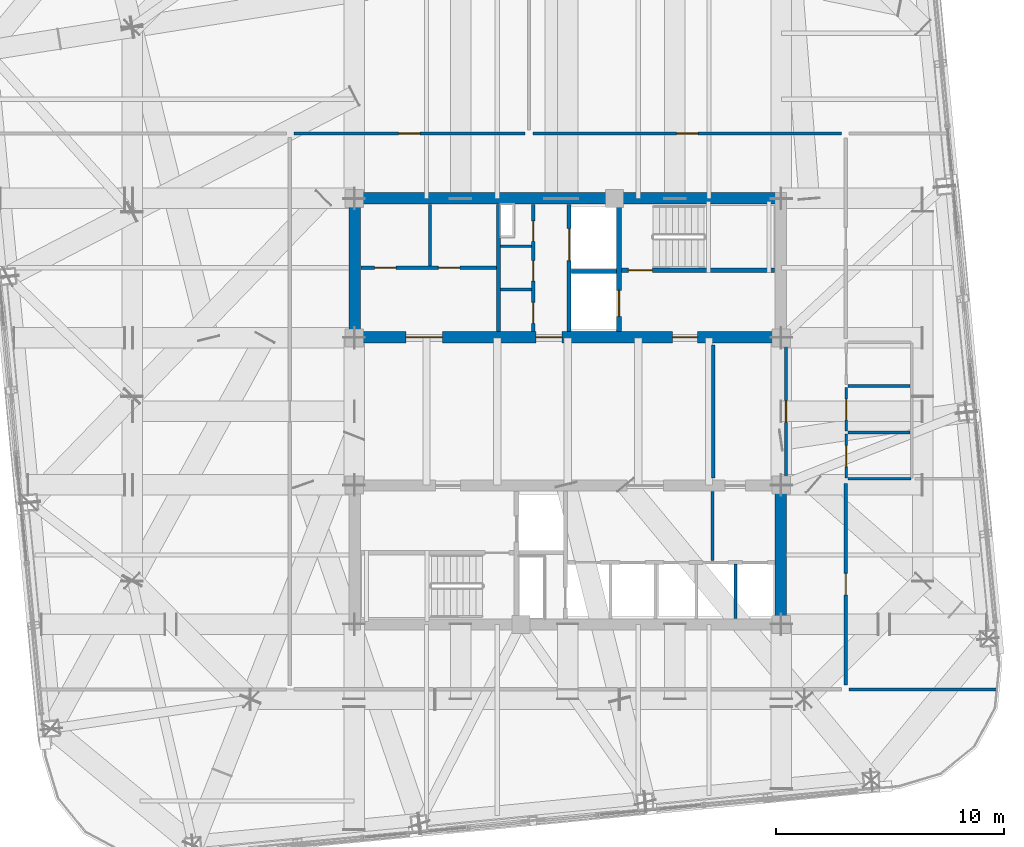
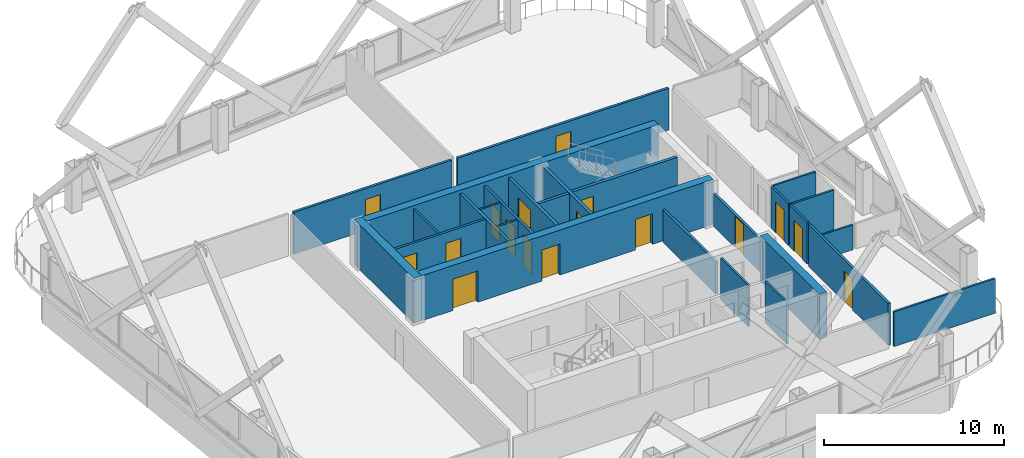
# One storey, part 33 of 37: 27 walls, 17 doors, 17 openings.
"""IFC4 building model written with IfcOpenShell, lengths in metres."""

from ifc_helpers import new_model, si_unit, direction, frame, frame_2d, origin, place, context, subcontext, project, spatial, rectangle, extrude, material, layer, layer_set, type_object, element, fill, save


model = new_model("IFC4")

# Units and contexts
model_context = context("Model", 3, precision=1e-05, world=origin(), true_north=direction((0.0, 1.0)))
body_context = subcontext(model_context, "Body", "Model", "MODEL_VIEW")
ifc_project = project(units=[si_unit("LENGTHUNIT", "METRE"), si_unit("AREAUNIT", "SQUARE_METRE"), si_unit("VOLUMEUNIT", "CUBIC_METRE"), si_unit("PLANEANGLEUNIT", "RADIAN"), si_unit("MASSUNIT", "GRAM", prefix="KILO")], contexts=[model_context])

# Site, building, storey
site_placement = place(None, origin())
site = spatial("IfcSite", under=ifc_project, at=site_placement, CompositionType="ELEMENT")
building_placement = place(site_placement, origin())
building = spatial("IfcBuilding", under=site, at=building_placement, Name="Qhalaya Broadcast Tower", CompositionType="ELEMENT")
storey_placement = place(building_placement, frame((0.0, 0.0, 156.14990234375)))
storey = spatial("IfcBuildingStorey", under=building, at=storey_placement, Name="L45", CompositionType="ELEMENT", Elevation=156.14990234375)

# Wall, openings, doors
ifc_material_1 = material(Name="Gypsum Acoustic Partition")
ifc_layer_1 = layer(ifc_material_1, 0.14990234375, Name="Gypsum Acoustic Partition")
ifc_layer_set_1 = layer_set([ifc_layer_1], Name="Gypsum Acoustic Partition")
wall_type_1 = type_object("IfcWallType", Name="Corridor & Tenancy Acoustic Partition 150", PredefinedType="PARTITIONING", material=ifc_layer_set_1)
wall_1_placement = place(storey_placement, frame((-1.52001953125, 4.1201171875, 0.0), z_axis=(0.0, 0.0, 1.0), x_axis=(0.0, 1.0, 0.0)))
wall_1 = element("IfcWall", 1, at=wall_1_placement, inside=storey, type_object=wall_type_1, Name="L45 Partition Wall NCW-SVL", PredefinedType="PARTITIONING", context=body_context, shape_type="SweptSolid", body=[
    extrude(rectangle(XDim=5.559814453125, YDim=0.14990234375, at=frame_2d((2.77978515625, 0.0))), origin(), (0.0, 0.0, 1.0), 2.830078125),
])
opening_1_placement = place(wall_1_placement, frame((3.949951171875, 0.0, 0.0)))
opening_1 = element("IfcOpeningElement", 2, at=opening_1_placement, cuts=wall_1, Name="Opening D06", PredefinedType="OPENING", context=body_context, shape_type="SweptSolid", body=[
    extrude(rectangle(XDim=0.89990234375, YDim=2.050048828125, at=frame_2d((0.449951171875, 1.02490234375))), frame((0.0, 0.0869140625, 0.0), z_axis=(0.0, -1.0, 0.0), x_axis=(1.0, 0.0, 0.0)), (0.0, 0.0, 1.0), 0.173828125),
])
opening_2_placement = place(wall_1_placement, frame((2.199951171875, 0.0, 0.0)))
opening_2 = element("IfcOpeningElement", 3, at=opening_2_placement, cuts=wall_1, Name="Opening D06", PredefinedType="OPENING", context=body_context, shape_type="SweptSolid", body=[
    extrude(rectangle(XDim=0.89990234375, YDim=2.050048828125, at=frame_2d((0.449951171875, 1.02490234375))), frame((0.0, 0.0869140625, 0.0), z_axis=(0.0, -1.0, 0.0), x_axis=(1.0, 0.0, 0.0)), (0.0, 0.0, 1.0), 0.173828125),
])
opening_3_placement = place(wall_1_placement, frame((0.35009765625, 0.0, 0.0)))
opening_3 = element("IfcOpeningElement", 4, at=opening_3_placement, cuts=wall_1, Name="Opening D12", PredefinedType="OPENING", context=body_context, shape_type="SweptSolid", body=[
    extrude(rectangle(XDim=0.919921875, YDim=2.10009765625, at=frame_2d((0.4599609375, 1.050048828125))), frame((0.0, 0.0869140625, 0.0), z_axis=(0.0, -1.0, 0.0), x_axis=(1.0, 0.0, 0.0)), (0.0, 0.0, 1.0), 0.173828125),
])
ifc_material_2 = material(Name="Timber Veneer Acoustic Door", Category="wood")
door_type_1 = type_object("IfcDoorType", Name="Accessible WC & Restroom Door D12", OperationType="NOTDEFINED", PredefinedType="DOOR", material=ifc_material_2)
door_1_placement = place(opening_3_placement, origin())
door_1 = element("IfcDoor", 5, at=door_1_placement, inside=storey, type_object=door_type_1, Name="L45 Door D-NCWC", OperationType="SINGLE_SWING_RIGHT", OverallHeight=2.10009765625, OverallWidth=0.919921875, PredefinedType="DOOR", context=body_context, shape_type="SweptSolid", body=[
    extrude(rectangle(XDim=0.919921875, YDim=2.10009765625, at=frame_2d((0.4599609375, 1.050048828125))), frame((0.0, 0.02490234375, 0.0), z_axis=(0.0, -1.0, 0.0), x_axis=(1.0, 0.0, 0.0)), (0.0, 0.0, 1.0), 0.050048828125),
])
fill(opening_3, door_1)
ifc_material_3 = material(Name="Fire-Rated Steel Door", Category="steel")
door_type_2 = type_object("IfcDoorType", Name="Riser & Electrical Shaft Access Door D06", OperationType="NOTDEFINED", PredefinedType="DOOR", material=ifc_material_3)
door_2_placement = place(opening_1_placement, origin())
door_2 = element("IfcDoor", 6, at=door_2_placement, inside=storey, type_object=door_type_2, Name="L45 Riser Shaft Access Door D-NRSR", OperationType="SINGLE_SWING_RIGHT", OverallHeight=2.050048828125, OverallWidth=0.89990234375, PredefinedType="DOOR", context=body_context, shape_type="SweptSolid", body=[
    extrude(rectangle(XDim=0.89990234375, YDim=2.050048828125, at=frame_2d((0.449951171875, 1.02490234375))), frame((0.0, 0.02490234375, 0.0), z_axis=(0.0, -1.0, 0.0), x_axis=(1.0, 0.0, 0.0)), (0.0, 0.0, 1.0), 0.050048828125),
])
fill(opening_1, door_2)
door_3_placement = place(opening_2_placement, origin())
door_3 = element("IfcDoor", 7, at=door_3_placement, inside=storey, type_object=door_type_2, Name="L45 Door D-NITR", OperationType="SINGLE_SWING_LEFT", OverallHeight=2.050048828125, OverallWidth=0.89990234375, PredefinedType="DOOR", context=body_context, shape_type="SweptSolid", body=[
    extrude(rectangle(XDim=0.89990234375, YDim=2.050048828125, at=frame_2d((0.449951171875, 1.02490234375))), frame((0.0, 0.02490234375, 0.0), z_axis=(0.0, -1.0, 0.0), x_axis=(1.0, 0.0, 0.0)), (0.0, 0.0, 1.0), 0.050048828125),
])
fill(opening_2, door_3)

wall_2_placement = place(storey_placement, frame((-9.080078125, 6.89990234375, 0.0), z_axis=(0.0, 0.0, 1.0), x_axis=(1.0, 0.0, 0.0)))
wall_2 = element("IfcWall", 8, at=wall_2_placement, inside=storey, type_object=wall_type_1, Name="L45 Partition Wall NCW-REC1", PredefinedType="PARTITIONING", context=body_context, shape_type="SweptSolid", body=[
    extrude(rectangle(XDim=5.9599609375, YDim=0.14990234375, at=frame_2d((2.97998046875, 0.0))), origin(), (0.0, 0.0, 1.0), 2.830078125),
])
opening_4_placement = place(wall_2_placement, frame((0.60009765625, 0.0, 0.0)))
opening_4 = element("IfcOpeningElement", 9, at=opening_4_placement, cuts=wall_2, Name="Opening D10", PredefinedType="OPENING", context=body_context, shape_type="SweptSolid", body=[
    extrude(rectangle(XDim=0.949951171875, YDim=2.10009765625, at=frame_2d((0.47509765625, 1.050048828125))), frame((0.0, 0.0869140625, 0.0), z_axis=(0.0, -1.0, 0.0), x_axis=(1.0, 0.0, 0.0)), (0.0, 0.0, 1.0), 0.173828125),
])
opening_5_placement = place(wall_2_placement, frame((3.39990234375, 0.0, 0.0)))
opening_5 = element("IfcOpeningElement", 10, at=opening_5_placement, cuts=wall_2, Name="Opening D10", PredefinedType="OPENING", context=body_context, shape_type="SweptSolid", body=[
    extrude(rectangle(XDim=0.949951171875, YDim=2.10009765625, at=frame_2d((0.47509765625, 1.050048828125))), frame((0.0, 0.0869140625, 0.0), z_axis=(0.0, -1.0, 0.0), x_axis=(1.0, 0.0, 0.0)), (0.0, 0.0, 1.0), 0.173828125),
])
door_type_3 = type_object("IfcDoorType", Name="Cellular Office & Edit Booth Door D10", OperationType="NOTDEFINED", PredefinedType="DOOR", material=ifc_material_2)
door_4_placement = place(opening_4_placement, origin())
door_4 = element("IfcDoor", 11, at=door_4_placement, inside=storey, type_object=door_type_3, Name="L45 Door D-NREC1", OperationType="SINGLE_SWING_LEFT", OverallHeight=2.10009765625, OverallWidth=0.949951171875, PredefinedType="DOOR", context=body_context, shape_type="SweptSolid", body=[
    extrude(rectangle(XDim=0.949951171875, YDim=2.10009765625, at=frame_2d((0.47509765625, 1.050048828125))), frame((0.0, 0.02490234375, 0.0), z_axis=(0.0, -1.0, 0.0), x_axis=(1.0, 0.0, 0.0)), (0.0, 0.0, 1.0), 0.050048828125),
])
fill(opening_4, door_4)
door_5_placement = place(opening_5_placement, origin())
door_5 = element("IfcDoor", 12, at=door_5_placement, inside=storey, type_object=door_type_3, Name="L45 Door D-NREC2", OperationType="SINGLE_SWING_RIGHT", OverallHeight=2.10009765625, OverallWidth=0.949951171875, PredefinedType="DOOR", context=body_context, shape_type="SweptSolid", body=[
    extrude(rectangle(XDim=0.949951171875, YDim=2.10009765625, at=frame_2d((0.47509765625, 1.050048828125))), frame((0.0, 0.02490234375, 0.0), z_axis=(0.0, -1.0, 0.0), x_axis=(1.0, 0.0, 0.0)), (0.0, 0.0, 1.0), 0.050048828125),
])
fill(opening_5, door_5)

# Wall
wall_3_placement = place(storey_placement, frame((6.3798828125, -2.320068359375, 0.0), z_axis=(0.0, 0.0, 1.0), x_axis=(0.0, 1.0, 0.0)))
element("IfcWall", 13, at=wall_3_placement, inside=storey, type_object=wall_type_1, Name="L45 Partition Wall W-ICHW", PredefinedType="PARTITIONING", context=body_context, shape_type="SweptSolid", body=[
    extrude(rectangle(XDim=5.840087890625, YDim=0.14990234375, at=frame_2d((2.919921875, 0.0))), origin(), (0.0, 0.0, 1.0), 2.197998046875),
])

# Wall, opening, door
wall_4_placement = place(storey_placement, frame((9.580078125, -2.320068359375, 0.0), z_axis=(0.0, 0.0, 1.0), x_axis=(0.0, 1.0, 0.0)))
wall_4 = element("IfcWall", 14, at=wall_4_placement, inside=storey, type_object=wall_type_1, Name="L45 Partition Wall W-ICHE", PredefinedType="PARTITIONING", context=body_context, shape_type="SweptSolid", body=[
    extrude(rectangle(XDim=5.840087890625, YDim=0.14990234375, at=frame_2d((2.919921875, 0.0))), origin(), (0.0, 0.0, 1.0), 2.197998046875),
])
opening_6_placement = place(wall_4_placement, frame((2.445068359375, 0.0, 0.0)))
opening_6 = element("IfcOpeningElement", 15, at=opening_6_placement, cuts=wall_4, Name="Opening D10", PredefinedType="OPENING", context=body_context, shape_type="SweptSolid", body=[
    extrude(rectangle(XDim=0.949951171875, YDim=2.10009765625, at=frame_2d((0.47509765625, 1.050048828125))), frame((0.0, 0.0869140625, 0.0), z_axis=(0.0, -1.0, 0.0), x_axis=(1.0, 0.0, 0.0)), (0.0, 0.0, 1.0), 0.173828125),
])
door_6_placement = place(opening_6_placement, origin())
door_6 = element("IfcDoor", 16, at=door_6_placement, inside=storey, type_object=door_type_3, Name="L45 Door D-ICHE", OperationType="SINGLE_SWING_RIGHT", OverallHeight=2.10009765625, OverallWidth=0.949951171875, PredefinedType="DOOR", context=body_context, shape_type="SweptSolid", body=[
    extrude(rectangle(XDim=0.949951171875, YDim=2.10009765625, at=frame_2d((0.47509765625, 1.050048828125))), frame((0.0, 0.02490234375, 0.0), z_axis=(0.0, -1.0, 0.0), x_axis=(1.0, 0.0, 0.0)), (0.0, 0.0, 1.0), 0.050048828125),
])
fill(opening_6, door_6)

wall_5_placement = place(storey_placement, frame((-12.02001953125, 12.800048828125, 0.0), z_axis=(0.0, 0.0, 1.0), x_axis=(1.0, 0.0, 0.0)))
wall_5 = element("IfcWall", 17, at=wall_5_placement, inside=storey, type_object=wall_type_1, Name="L45 Partition Wall W-COR-01", PredefinedType="PARTITIONING", context=body_context, shape_type="SweptSolid", body=[
    extrude(rectangle(XDim=10.14013671875, YDim=0.14990234375, at=frame_2d((5.070068359375, 0.0))), origin(), (0.0, 0.0, 1.0), 2.830078125),
])
opening_7_placement = place(wall_5_placement, frame((4.594970703125, 0.0, 0.0)))
opening_7 = element("IfcOpeningElement", 18, at=opening_7_placement, cuts=wall_5, Name="Opening D10", PredefinedType="OPENING", context=body_context, shape_type="SweptSolid", body=[
    extrude(rectangle(XDim=0.949951171875, YDim=2.10009765625, at=frame_2d((0.47509765625, 1.050048828125))), frame((0.0, 0.0869140625, 0.0), z_axis=(0.0, -1.0, 0.0), x_axis=(1.0, 0.0, 0.0)), (0.0, 0.0, 1.0), 0.173828125),
])
door_7_placement = place(opening_7_placement, origin())
door_7 = element("IfcDoor", 19, at=door_7_placement, inside=storey, type_object=door_type_3, Name="L45 Door D-RM01", OperationType="SINGLE_SWING_LEFT", OverallHeight=2.10009765625, OverallWidth=0.949951171875, PredefinedType="DOOR", context=body_context, shape_type="SweptSolid", body=[
    extrude(rectangle(XDim=0.949951171875, YDim=2.10009765625, at=frame_2d((0.47509765625, 1.050048828125))), frame((0.0, 0.02490234375, 0.0), z_axis=(0.0, -1.0, 0.0), x_axis=(1.0, 0.0, 0.0)), (0.0, 0.0, 1.0), 0.050048828125),
])
fill(opening_7, door_7)

wall_6_placement = place(storey_placement, frame((-1.52001953125, 12.800048828125, 0.0), z_axis=(0.0, 0.0, 1.0), x_axis=(1.0, 0.0, 0.0)))
wall_6 = element("IfcWall", 20, at=wall_6_placement, inside=storey, type_object=wall_type_1, Name="L45 Partition Wall W-COR-02", PredefinedType="PARTITIONING", context=body_context, shape_type="SweptSolid", body=[
    extrude(rectangle(XDim=13.5400390625, YDim=0.14990234375, at=frame_2d((6.77001953125, 0.0))), origin(), (0.0, 0.0, 1.0), 2.830078125),
])
opening_8_placement = place(wall_6_placement, frame((6.294921875, 0.0, 0.0)))
opening_8 = element("IfcOpeningElement", 21, at=opening_8_placement, cuts=wall_6, Name="Opening D10", PredefinedType="OPENING", context=body_context, shape_type="SweptSolid", body=[
    extrude(rectangle(XDim=0.949951171875, YDim=2.10009765625, at=frame_2d((0.47509765625, 1.050048828125))), frame((0.0, 0.0869140625, 0.0), z_axis=(0.0, -1.0, 0.0), x_axis=(1.0, 0.0, 0.0)), (0.0, 0.0, 1.0), 0.173828125),
])
door_8_placement = place(opening_8_placement, origin())
door_8 = element("IfcDoor", 22, at=door_8_placement, inside=storey, type_object=door_type_3, Name="L45 Door D-RM02", OperationType="SINGLE_SWING_RIGHT", OverallHeight=2.10009765625, OverallWidth=0.949951171875, PredefinedType="DOOR", context=body_context, shape_type="SweptSolid", body=[
    extrude(rectangle(XDim=0.949951171875, YDim=2.10009765625, at=frame_2d((0.47509765625, 1.050048828125))), frame((0.0, 0.02490234375, 0.0), z_axis=(0.0, -1.0, 0.0), x_axis=(1.0, 0.0, 0.0)), (0.0, 0.0, 1.0), 0.050048828125),
])
fill(opening_8, door_8)

wall_7_placement = place(storey_placement, frame((12.199951171875, -11.39990234375, 0.0), z_axis=(0.0, 0.0, 1.0), x_axis=(0.0, 1.0, 0.0)))
wall_7 = element("IfcWall", 23, at=wall_7_placement, inside=storey, type_object=wall_type_1, Name="L45 Partition Wall W-COR-05", PredefinedType="PARTITIONING", context=body_context, shape_type="SweptSolid", body=[
    extrude(rectangle(XDim=8.83984375, YDim=0.14990234375, at=frame_2d((4.419921875, 0.0))), origin(), (0.0, 0.0, 1.0), 2.830078125),
])
opening_9_placement = place(wall_7_placement, frame((3.945068359375, 0.0, 0.0)))
opening_9 = element("IfcOpeningElement", 24, at=opening_9_placement, cuts=wall_7, Name="Opening D10", PredefinedType="OPENING", context=body_context, shape_type="SweptSolid", body=[
    extrude(rectangle(XDim=0.949951171875, YDim=2.10009765625, at=frame_2d((0.47509765625, 1.050048828125))), frame((0.0, 0.0869140625, 0.0), z_axis=(0.0, -1.0, 0.0), x_axis=(1.0, 0.0, 0.0)), (0.0, 0.0, 1.0), 0.173828125),
])
door_9_placement = place(opening_9_placement, origin())
door_9 = element("IfcDoor", 25, at=door_9_placement, inside=storey, type_object=door_type_3, Name="L45 Door D-RM05", OperationType="SINGLE_SWING_LEFT", OverallHeight=2.10009765625, OverallWidth=0.949951171875, PredefinedType="DOOR", context=body_context, shape_type="SweptSolid", body=[
    extrude(rectangle(XDim=0.949951171875, YDim=2.10009765625, at=frame_2d((0.47509765625, 1.050048828125))), frame((0.0, 0.02490234375, 0.0), z_axis=(0.0, -1.0, 0.0), x_axis=(1.0, 0.0, 0.0)), (0.0, 0.0, 1.0), 0.050048828125),
])
fill(opening_9, door_9)

ifc_material_4 = material(Name="Concrete C50/60", Category="concrete")
ifc_layer_2 = layer(ifc_material_4, 0.199951171875, Name="Concrete C50/60")
ifc_layer_set_2 = layer_set([ifc_layer_2], Name="Concrete C50/60")
wall_type_2 = type_object("IfcWallType", Name="Load-Bearing Stair Shaft Wall 200", PredefinedType="SHEAR", material=ifc_layer_set_2)
wall_8_placement = place(storey_placement, frame((2.360107421875, 6.804931640625, 0.0), z_axis=(0.0, 0.0, 1.0), x_axis=(1.0, 0.0, 0.0)))
wall_8 = element("IfcWall", 26, at=wall_8_placement, inside=storey, type_object=wall_type_2, Name="L45 Stair Core Shear Wall NCW-ST1", PredefinedType="SHEAR", context=body_context, shape_type="SweptSolid", body=[
    extrude(rectangle(XDim=6.719970703125, YDim=0.199951171875, at=frame_2d((3.35986328125, 0.0))), origin(), (0.0, 0.0, 1.0), 2.830078125),
])
opening_10_placement = place(wall_8_placement, frame((0.300048828125, 0.0, 0.0)))
opening_10 = element("IfcOpeningElement", 27, at=opening_10_placement, cuts=wall_8, Name="Opening D03", PredefinedType="OPENING", context=body_context, shape_type="SweptSolid", body=[
    extrude(rectangle(XDim=1.050048828125, YDim=2.080078125, at=frame_2d((0.52490234375, 1.0400390625))), frame((0.0, 0.112060546875, 0.0), z_axis=(0.0, -1.0, 0.0), x_axis=(1.0, 0.0, 0.0)), (0.0, 0.0, 1.0), 0.223876953125),
])
door_type_4 = type_object("IfcDoorType", Name="Core Stair Protected Fire Door D03", OperationType="NOTDEFINED", PredefinedType="DOOR", material=ifc_material_3)
door_10_placement = place(opening_10_placement, origin())
door_10 = element("IfcDoor", 28, at=door_10_placement, inside=storey, type_object=door_type_4, Name="L45 Door D-NST1", OperationType="SINGLE_SWING_LEFT", OverallHeight=2.080078125, OverallWidth=1.050048828125, PredefinedType="DOOR", context=body_context, shape_type="SweptSolid", body=[
    extrude(rectangle(XDim=1.050048828125, YDim=2.080078125, at=frame_2d((0.52490234375, 1.0400390625))), frame((0.0, 0.02490234375, 0.0), z_axis=(0.0, -1.0, 0.0), x_axis=(1.0, 0.0, 0.0)), (0.0, 0.0, 1.0), 0.050048828125),
])
fill(opening_10, door_10)

wall_9_placement = place(storey_placement, frame((2.25, 4.1201171875, 0.0), z_axis=(0.0, 0.0, 1.0), x_axis=(0.0, 1.0, 0.0)))
wall_9 = element("IfcWall", 29, at=wall_9_placement, inside=storey, type_object=wall_type_2, Name="L45 Stair Core Shear Wall NCW-FF", PredefinedType="SHEAR", context=body_context, shape_type="SweptSolid", body=[
    extrude(rectangle(XDim=5.559814453125, YDim=0.199951171875, at=frame_2d((2.77978515625, 0.0))), origin(), (0.0, 0.0, 1.0), 2.830078125),
])
opening_11_placement = place(wall_9_placement, frame((0.64990234375, 0.0, 0.0)))
opening_11 = element("IfcOpeningElement", 30, at=opening_11_placement, cuts=wall_9, Name="Opening LD2", PredefinedType="OPENING", context=body_context, shape_type="SweptSolid", body=[
    extrude(rectangle(XDim=1.14990234375, YDim=2.080078125, at=frame_2d((0.574951171875, 1.0400390625))), frame((0.0, 0.112060546875, 0.0), z_axis=(0.0, -1.0, 0.0), x_axis=(1.0, 0.0, 0.0)), (0.0, 0.0, 1.0), 0.223876953125),
])
ifc_material_5 = material(Name="Brushed Stainless Steel Lift Door", Category="steel")
door_type_5 = type_object("IfcDoorType", Name="Firefighting Lift Sliding Landing Door LD2", OperationType="DOUBLE_DOOR_SLIDING", PredefinedType="DOOR", material=ifc_material_5)
door_11_placement = place(opening_11_placement, origin())
door_11 = element("IfcDoor", 31, at=door_11_placement, inside=storey, type_object=door_type_5, Name="L45 Door LD-FF1", OperationType="DOUBLE_DOOR_SLIDING", OverallHeight=2.080078125, OverallWidth=1.14990234375, PredefinedType="DOOR", context=body_context, shape_type="SweptSolid", body=[
    extrude(rectangle(XDim=1.14990234375, YDim=2.080078125, at=frame_2d((0.574951171875, 1.0400390625))), frame((0.0, 0.02490234375, 0.0), z_axis=(0.0, -1.0, 0.0), x_axis=(1.0, 0.0, 0.0)), (0.0, 0.0, 1.0), 0.050048828125),
])
fill(opening_11, door_11)

# Wall
ifc_layer_3 = layer(ifc_material_4, 0.5, Name="Concrete C50/60")
ifc_layer_set_3 = layer_set([ifc_layer_3], Name="Concrete C50/60")
wall_type_3 = type_object("IfcWallType", Name="Mid Split-Core Shear Wall 500", PredefinedType="SHEAR", material=ifc_layer_set_3)
wall_10_placement = place(storey_placement, frame((-9.60009765625, 9.949951171875, 0.0), z_axis=(0.0, 0.0, 1.0), x_axis=(1.0, 0.0, 0.0)))
element("IfcWall", 32, at=wall_10_placement, inside=storey, type_object=wall_type_3, Name="L45 Split-Core Shear Wall CW-NN", PredefinedType="SHEAR", context=body_context, shape_type="SweptSolid", body=[
    extrude(rectangle(XDim=19.2001953125, YDim=0.5, at=frame_2d((9.60009765625, 0.0))), origin(), (0.0, 0.0, 1.0), 3.050048828125),
])

# Wall, openings, doors
wall_11_placement = place(storey_placement, frame((-9.60009765625, 3.85009765625, 0.0), z_axis=(0.0, 0.0, 1.0), x_axis=(1.0, 0.0, 0.0)))
wall_11 = element("IfcWall", 33, at=wall_11_placement, inside=storey, type_object=wall_type_3, Name="L45 Split-Core Shear Wall CW-NS", PredefinedType="SHEAR", context=body_context, shape_type="SweptSolid", body=[
    extrude(rectangle(XDim=19.2001953125, YDim=0.5, at=frame_2d((9.60009765625, 0.0))), origin(), (0.0, 0.0, 1.0), 3.050048828125),
])
opening_12_placement = place(wall_11_placement, frame((14.199951171875, 0.0, 0.0)))
opening_12 = element("IfcOpeningElement", 34, at=opening_12_placement, cuts=wall_11, Name="Opening D04", PredefinedType="OPENING", context=body_context, shape_type="SweptSolid", body=[
    extrude(rectangle(XDim=1.10009765625, YDim=2.080078125, at=frame_2d((0.550048828125, 1.0400390625))), frame((0.0, 0.261962890625, 0.0), z_axis=(0.0, -1.0, 0.0), x_axis=(1.0, 0.0, 0.0)), (0.0, 0.0, 1.0), 0.52392578125),
])
opening_13_placement = place(wall_11_placement, frame((8.199951171875, 0.0, 0.0)))
opening_13 = element("IfcOpeningElement", 35, at=opening_13_placement, cuts=wall_11, Name="Opening D05", PredefinedType="OPENING", context=body_context, shape_type="SweptSolid", body=[
    extrude(rectangle(XDim=1.14990234375, YDim=2.10009765625, at=frame_2d((0.574951171875, 1.050048828125))), frame((0.0, 0.261962890625, 0.0), z_axis=(0.0, -1.0, 0.0), x_axis=(1.0, 0.0, 0.0)), (0.0, 0.0, 1.0), 0.52392578125),
])
opening_14_placement = place(wall_11_placement, frame((2.5, 0.0, 0.0)))
opening_14 = element("IfcOpeningElement", 36, at=opening_14_placement, cuts=wall_11, Name="Opening D07", PredefinedType="OPENING", context=body_context, shape_type="SweptSolid", body=[
    extrude(rectangle(XDim=1.60009765625, YDim=2.1201171875, at=frame_2d((0.800048828125, 1.06005859375))), frame((0.0, 0.261962890625, 0.0), z_axis=(0.0, -1.0, 0.0), x_axis=(1.0, 0.0, 0.0)), (0.0, 0.0, 1.0), 0.52392578125),
])
door_type_6 = type_object("IfcDoorType", Name="Firefighting Lobby Rated Door D04", OperationType="NOTDEFINED", PredefinedType="DOOR", material=ifc_material_3)
door_12_placement = place(opening_12_placement, origin())
door_12 = element("IfcDoor", 37, at=door_12_placement, inside=storey, type_object=door_type_6, Name="L45 Door D-NFF", OperationType="SINGLE_SWING_RIGHT", OverallHeight=2.080078125, OverallWidth=1.10009765625, PredefinedType="DOOR", context=body_context, shape_type="SweptSolid", body=[
    extrude(rectangle(XDim=1.10009765625, YDim=2.080078125, at=frame_2d((0.550048828125, 1.0400390625))), frame((0.0, 0.02490234375, 0.0), z_axis=(0.0, -1.0, 0.0), x_axis=(1.0, 0.0, 0.0)), (0.0, 0.0, 1.0), 0.050048828125),
])
fill(opening_12, door_12)
ifc_material_6 = material(Name="Anodised Aluminium Glazed Door", Category="aluminium")
door_type_7 = type_object("IfcDoorType", Name="Passenger Lift Lobby Double Glazed Door D07", OperationType="DOUBLE_DOOR_SINGLE_SWING", PredefinedType="DOOR", material=ifc_material_6)
door_13_placement = place(opening_14_placement, origin())
door_13 = element("IfcDoor", 38, at=door_13_placement, inside=storey, type_object=door_type_7, Name="L45 Door D-NRECV", OperationType="DOUBLE_DOOR_SINGLE_SWING", OverallHeight=2.1201171875, OverallWidth=1.60009765625, PredefinedType="DOOR", context=body_context, shape_type="SweptSolid", body=[
    extrude(rectangle(XDim=1.60009765625, YDim=2.1201171875, at=frame_2d((0.800048828125, 1.06005859375))), frame((0.0, 0.02490234375, 0.0), z_axis=(0.0, -1.0, 0.0), x_axis=(1.0, 0.0, 0.0)), (0.0, 0.0, 1.0), 0.050048828125),
])
fill(opening_14, door_13)
door_type_8 = type_object("IfcDoorType", Name="Refuge & Plant Room Fire Door D05", OperationType="NOTDEFINED", PredefinedType="DOOR", material=ifc_material_3)
door_14_placement = place(opening_13_placement, origin())
door_14 = element("IfcDoor", 39, at=door_14_placement, inside=storey, type_object=door_type_8, Name="L45 Door D-NSVL", OperationType="SINGLE_SWING_LEFT", OverallHeight=2.10009765625, OverallWidth=1.14990234375, PredefinedType="DOOR", context=body_context, shape_type="SweptSolid", body=[
    extrude(rectangle(XDim=1.14990234375, YDim=2.10009765625, at=frame_2d((0.574951171875, 1.050048828125))), frame((0.0, 0.02490234375, 0.0), z_axis=(0.0, -1.0, 0.0), x_axis=(1.0, 0.0, 0.0)), (0.0, 0.0, 1.0), 0.050048828125),
])
fill(opening_13, door_14)

# Walls
wall_12_placement = place(storey_placement, frame((-9.35009765625, 3.60009765625, 0.0), z_axis=(0.0, 0.0, 1.0), x_axis=(0.0, 1.0, 0.0)))
element("IfcWall", 40, at=wall_12_placement, inside=storey, type_object=wall_type_3, Name="L45 Split-Core Shear Wall CW-NW", PredefinedType="SHEAR", context=body_context, shape_type="SweptSolid", body=[
    extrude(rectangle(XDim=6.599853515625, YDim=0.5, at=frame_2d((3.2998046875, 0.0))), origin(), (0.0, 0.0, 1.0), 3.050048828125),
])
wall_13_placement = place(storey_placement, frame((9.35009765625, -9.0, 0.0), z_axis=(0.0, 0.0, 1.0), x_axis=(0.0, 1.0, 0.0)))
element("IfcWall", 41, at=wall_13_placement, inside=storey, type_object=wall_type_3, Name="L45 Split-Core Shear Wall CW-SE", PredefinedType="SHEAR", context=body_context, shape_type="SweptSolid", body=[
    extrude(rectangle(XDim=6.60009765625, YDim=0.5, at=frame_2d((3.300048828125, 0.0))), origin(), (0.0, 0.0, 1.0), 3.050048828125),
])
ifc_layer_4 = layer(ifc_material_1, 0.1201171875, Name="Gypsum Acoustic Partition")
ifc_layer_set_4 = layer_set([ifc_layer_4], Name="Gypsum Acoustic Partition")
wall_type_4 = type_object("IfcWallType", Name="Office, Booth & Sanitary Partition 120", PredefinedType="PARTITIONING", material=ifc_layer_set_4)
for number, where, z_axis, x_axis, name in (
    (42, (-2.9599609375, 5.949951171875, 0.0), (0.0, 0.0, 1.0), (1.0, 0.0, 0.0), "L45 Partition Wall NCW-VB1"),
    (43, (-2.9599609375, 7.85009765625, 0.0), (0.0, 0.0, 1.0), (1.0, 0.0, 0.0), "L45 Partition Wall NCW-VB2"),
):
    element("IfcWall", number, at=place(storey_placement, frame(where, z_axis=z_axis, x_axis=x_axis)), inside=storey, type_object=wall_type_4, Name=name, PredefinedType="PARTITIONING", context=body_context, shape_type="SweptSolid", body=[
        extrude(rectangle(XDim=1.35986328125, YDim=0.1201171875, at=frame_2d((0.679931640625, 0.0))), origin(), (0.0, 0.0, 1.0), 2.830078125),
    ])
wall_14_placement = place(storey_placement, frame((-6.050048828125, 6.97998046875, 0.0), z_axis=(0.0, 0.0, 1.0), x_axis=(0.0, 1.0, 0.0)))
element("IfcWall", 44, at=wall_14_placement, inside=storey, type_object=wall_type_4, Name="L45 Partition Wall NCW-REC2", PredefinedType="PARTITIONING", context=body_context, shape_type="SweptSolid", body=[
    extrude(rectangle(XDim=2.699951171875, YDim=0.1201171875, at=frame_2d((1.35009765625, 0.0))), origin(), (0.0, 0.0, 1.0), 2.830078125),
])
wall_15_placement = place(storey_placement, frame((7.360107421875, -8.47998046875, 0.0), z_axis=(0.0, 0.0, 1.0), x_axis=(0.0, 1.0, 0.0)))
element("IfcWall", 45, at=wall_15_placement, inside=storey, type_object=wall_type_4, Name="L45 Partition Wall SCW-HD7", PredefinedType="PARTITIONING", context=body_context, shape_type="SweptSolid", body=[
    extrude(rectangle(XDim=2.3798828125, YDim=0.1201171875, at=frame_2d((1.18994140625, 0.0))), origin(), (0.0, 0.0, 1.0), 2.830078125),
])
wall_16_placement = place(storey_placement, frame((6.35009765625, -5.93994140625, 0.0), z_axis=(0.0, 0.0, 1.0), x_axis=(0.0, 1.0, 0.0)))
element("IfcWall", 46, at=wall_16_placement, inside=storey, type_object=wall_type_4, Name="L45 Partition Wall SCW-LKB", PredefinedType="PARTITIONING", context=body_context, shape_type="SweptSolid", body=[
    extrude(rectangle(XDim=3.02001953125, YDim=0.1201171875, at=frame_2d((1.510009765625, 0.0))), origin(), (0.0, 0.0, 1.0), 2.830078125),
])

# Wall, opening, door
wall_17_placement = place(storey_placement, frame((12.219970703125, -2.320068359375, 0.0), z_axis=(0.0, 0.0, 1.0), x_axis=(0.0, 1.0, 0.0)))
wall_17 = element("IfcWall", 47, at=wall_17_placement, inside=storey, type_object=wall_type_4, Name="L45 Partition Wall W-WCWA", PredefinedType="PARTITIONING", context=body_context, shape_type="SweptSolid", body=[
    extrude(rectangle(XDim=1.940185546875, YDim=0.1201171875, at=frame_2d((0.97021484375, 0.0))), origin(), (0.0, 0.0, 1.0), 2.830078125),
])
opening_15_placement = place(wall_17_placement, frame((0.4951171875, 0.0, 0.0)))
opening_15 = element("IfcOpeningElement", 48, at=opening_15_placement, cuts=wall_17, Name="Opening D12", PredefinedType="OPENING", context=body_context, shape_type="SweptSolid", body=[
    extrude(rectangle(XDim=0.919921875, YDim=2.10009765625, at=frame_2d((0.4599609375, 1.050048828125))), frame((0.0, 0.072021484375, 0.0), z_axis=(0.0, -1.0, 0.0), x_axis=(1.0, 0.0, 0.0)), (0.0, 0.0, 1.0), 0.14404296875),
])
door_15_placement = place(opening_15_placement, origin())
door_15 = element("IfcDoor", 49, at=door_15_placement, inside=storey, type_object=door_type_1, Name="L45 Door D-WCA", OperationType="SINGLE_SWING_LEFT", OverallHeight=2.10009765625, OverallWidth=0.919921875, PredefinedType="DOOR", context=body_context, shape_type="SweptSolid", body=[
    extrude(rectangle(XDim=0.919921875, YDim=2.10009765625, at=frame_2d((0.4599609375, 1.050048828125))), frame((0.0, 0.02490234375, 0.0), z_axis=(0.0, -1.0, 0.0), x_axis=(1.0, 0.0, 0.0)), (0.0, 0.0, 1.0), 0.050048828125),
])
fill(opening_15, door_15)

wall_18_placement = place(storey_placement, frame((12.219970703125, -0.25, 0.0), z_axis=(0.0, 0.0, 1.0), x_axis=(0.0, 1.0, 0.0)))
wall_18 = element("IfcWall", 50, at=wall_18_placement, inside=storey, type_object=wall_type_4, Name="L45 Partition Wall W-WCWM", PredefinedType="PARTITIONING", context=body_context, shape_type="SweptSolid", body=[
    extrude(rectangle(XDim=1.89990234375, YDim=0.1201171875, at=frame_2d((0.949951171875, 0.0))), origin(), (0.0, 0.0, 1.0), 2.830078125),
])
opening_16_placement = place(wall_18_placement, frame((0.47509765625, 0.0, 0.0)))
opening_16 = element("IfcOpeningElement", 51, at=opening_16_placement, cuts=wall_18, Name="Opening D12", PredefinedType="OPENING", context=body_context, shape_type="SweptSolid", body=[
    extrude(rectangle(XDim=0.919921875, YDim=2.10009765625, at=frame_2d((0.4599609375, 1.050048828125))), frame((0.0, 0.072021484375, 0.0), z_axis=(0.0, -1.0, 0.0), x_axis=(1.0, 0.0, 0.0)), (0.0, 0.0, 1.0), 0.14404296875),
])
door_16_placement = place(opening_16_placement, origin())
door_16 = element("IfcDoor", 52, at=door_16_placement, inside=storey, type_object=door_type_1, Name="L45 Door D-WCM", OperationType="SINGLE_SWING_RIGHT", OverallHeight=2.10009765625, OverallWidth=0.919921875, PredefinedType="DOOR", context=body_context, shape_type="SweptSolid", body=[
    extrude(rectangle(XDim=0.919921875, YDim=2.10009765625, at=frame_2d((0.4599609375, 1.050048828125))), frame((0.0, 0.02490234375, 0.0), z_axis=(0.0, -1.0, 0.0), x_axis=(1.0, 0.0, 0.0)), (0.0, 0.0, 1.0), 0.050048828125),
])
fill(opening_16, door_16)

# Walls
wall_19_placement = place(storey_placement, frame((12.31005859375, -2.35009765625, 0.0), z_axis=(0.0, 0.0, 1.0), x_axis=(1.0, 0.0, 0.0)))
element("IfcWall", 53, at=wall_19_placement, inside=storey, type_object=wall_type_4, Name="L45 Partition Wall W-WCS", PredefinedType="PARTITIONING", context=body_context, shape_type="SweptSolid", body=[
    extrude(rectangle(XDim=2.760009765625, YDim=0.1201171875, at=frame_2d((1.3798828125, 0.0))), origin(), (0.0, 0.0, 1.0), 1.692138671875),
])
for number, where, z_axis, x_axis, name in (
    (54, (12.31005859375, -0.320068359375, 0.0), (0.0, 0.0, 1.0), (1.0, 0.0, 0.0), "L45 Partition Wall W-WCD1"),
    (55, (12.31005859375, 1.719970703125, 0.0), (0.0, 0.0, 1.0), (1.0, 0.0, 0.0), "L45 Partition Wall W-WCD2"),
):
    element("IfcWall", number, at=place(storey_placement, frame(where, z_axis=z_axis, x_axis=x_axis)), inside=storey, type_object=wall_type_4, Name=name, PredefinedType="PARTITIONING", context=body_context, shape_type="SweptSolid", body=[
        extrude(rectangle(XDim=2.719970703125, YDim=0.1201171875, at=frame_2d((1.35986328125, 0.0))), origin(), (0.0, 0.0, 1.0), 2.830078125),
    ])
wall_20_placement = place(storey_placement, frame((12.340087890625, -11.60009765625, 0.0), z_axis=(0.0, 0.0, 1.0), x_axis=(1.0, 0.0, 0.0)))
element("IfcWall", 56, at=wall_20_placement, inside=storey, type_object=wall_type_4, Name="L45 Partition Wall W-BNDE2", PredefinedType="PARTITIONING", context=body_context, shape_type="SweptSolid", body=[
    extrude(rectangle(XDim=6.489990234375, YDim=0.1201171875, at=frame_2d((3.2451171875, 0.0))), origin(), (0.0, 0.0, 1.0), 2.34716796875),
])

# Wall, opening, door
ifc_layer_5 = layer(ifc_material_1, 0.175048828125, Name="Gypsum Acoustic Partition")
ifc_layer_set_5 = layer_set([ifc_layer_5], Name="Gypsum Acoustic Partition")
wall_type_5 = type_object("IfcWallType", Name="Shaft & Riser Fire Partition 175", PredefinedType="PARTITIONING", material=ifc_layer_set_5)
wall_21_placement = place(storey_placement, frame((0.06005859375, 4.1201171875, 0.0), z_axis=(0.0, 0.0, 1.0), x_axis=(0.0, 1.0, 0.0)))
wall_21 = element("IfcWall", 57, at=wall_21_placement, inside=storey, type_object=wall_type_5, Name="L45 Partition Wall NCW-SVW", PredefinedType="PARTITIONING", context=body_context, shape_type="SweptSolid", body=[
    extrude(rectangle(XDim=5.559814453125, YDim=0.175048828125, at=frame_2d((2.77978515625, 0.0))), origin(), (0.0, 0.0, 1.0), 2.830078125),
])
opening_17_placement = place(wall_21_placement, frame((3.10009765625, 0.0, 0.0)))
opening_17 = element("IfcOpeningElement", 58, at=opening_17_placement, cuts=wall_21, Name="Opening LD3", PredefinedType="OPENING", context=body_context, shape_type="SweptSolid", body=[
    extrude(rectangle(XDim=1.39990234375, YDim=2.1201171875, at=frame_2d((0.699951171875, 1.06005859375))), frame((0.0, 0.099609375, 0.0), z_axis=(0.0, -1.0, 0.0), x_axis=(1.0, 0.0, 0.0)), (0.0, 0.0, 1.0), 0.198974609375),
])
door_type_9 = type_object("IfcDoorType", Name="Service Lift Wide Sliding Landing Door LD3", OperationType="DOUBLE_DOOR_SLIDING", PredefinedType="DOOR", material=ifc_material_5)
door_17_placement = place(opening_17_placement, origin())
door_17 = element("IfcDoor", 59, at=door_17_placement, inside=storey, type_object=door_type_9, Name="L45 Door LD-SV1", OperationType="DOUBLE_DOOR_SLIDING", OverallHeight=2.1201171875, OverallWidth=1.39990234375, PredefinedType="DOOR", context=body_context, shape_type="SweptSolid", body=[
    extrude(rectangle(XDim=1.39990234375, YDim=2.1201171875, at=frame_2d((0.699951171875, 1.06005859375))), frame((0.0, 0.02490234375, 0.0), z_axis=(0.0, -1.0, 0.0), x_axis=(1.0, 0.0, 0.0)), (0.0, 0.0, 1.0), 0.050048828125),
])
fill(opening_17, door_17)

# Walls
wall_22_placement = place(storey_placement, frame((0.159912109375, 6.75, 0.0), z_axis=(0.0, 0.0, 1.0), x_axis=(1.0, 0.0, 0.0)))
element("IfcWall", 60, at=wall_22_placement, inside=storey, type_object=wall_type_5, Name="L45 Partition Wall NCW-SVM", PredefinedType="PARTITIONING", context=body_context, shape_type="SweptSolid", body=[
    extrude(rectangle(XDim=1.97998046875, YDim=0.175048828125, at=frame_2d((0.989990234375, 0.0))), origin(), (0.0, 0.0, 1.0), 2.830078125),
])
wall_23_placement = place(storey_placement, frame((-3.0400390625, 4.1201171875, 0.0), z_axis=(0.0, 0.0, 1.0), x_axis=(0.0, 1.0, 0.0)))
element("IfcWall", 61, at=wall_23_placement, inside=storey, type_object=wall_type_5, Name="L45 Partition Wall NCW-VRW", PredefinedType="PARTITIONING", context=body_context, shape_type="SweptSolid", body=[
    extrude(rectangle(XDim=5.559814453125, YDim=0.175048828125, at=frame_2d((2.77978515625, 0.0))), origin(), (0.0, 0.0, 1.0), 2.830078125),
])

save(model, "model.ifc")
